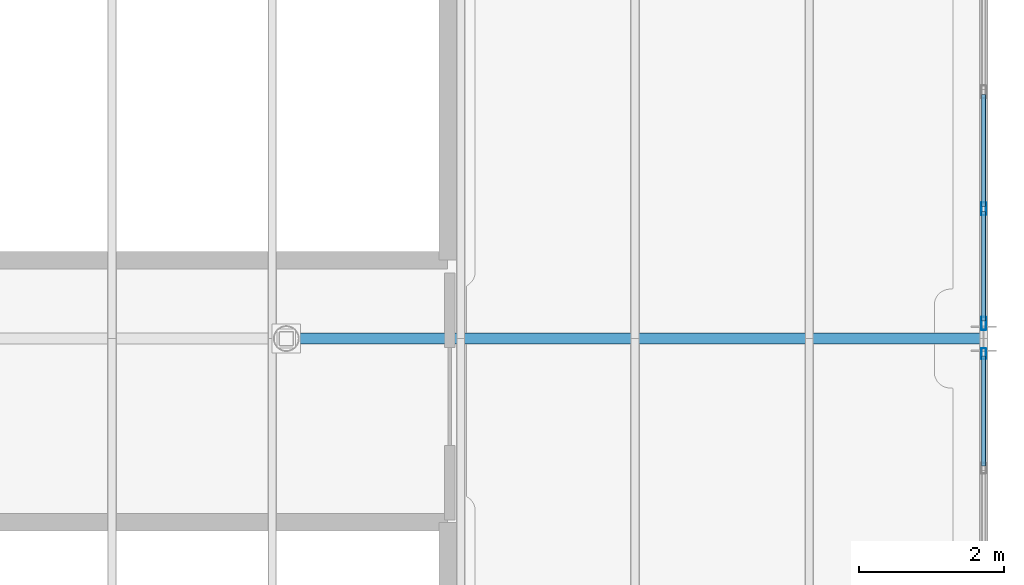
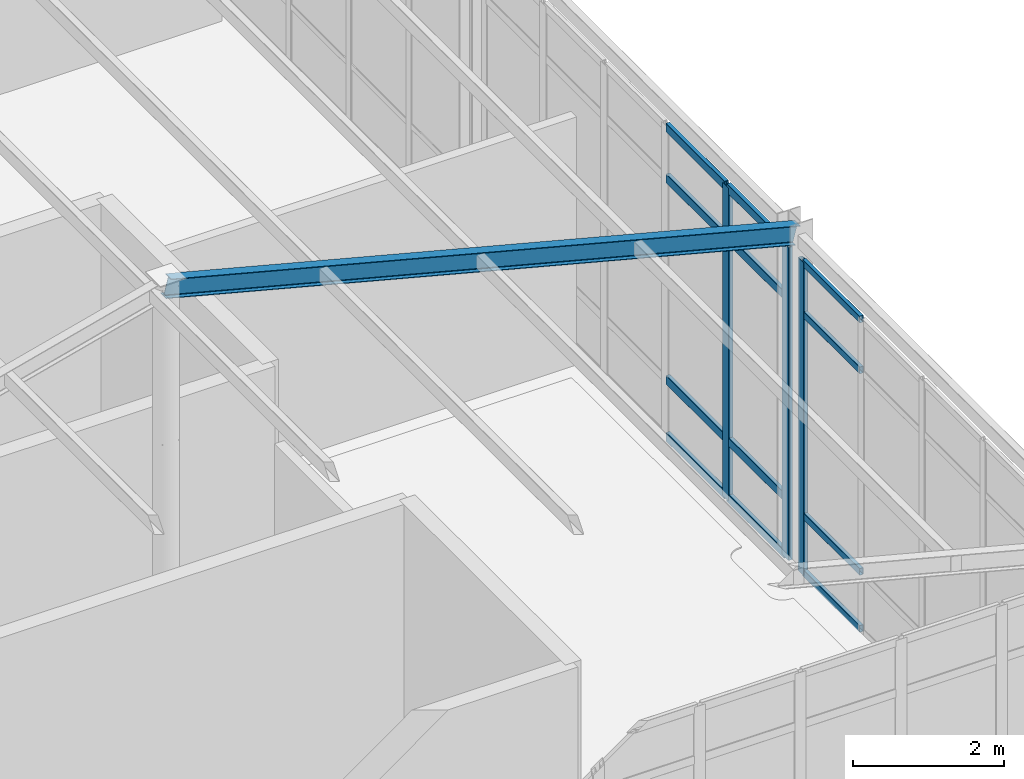
# One storey, part 15 of 121: 15 members, 1 beam, 2 elements without a shape of their own.
"""IFC4 building model written with IfcOpenShell, lengths in metres."""

from ifc_helpers import new_model, si_unit, direction, frame, origin, origin_2d, place, context, subcontext, project, spatial, hollow_rectangle, i_section, extrude, material, material_profile, profile_set, type_object, element, aggregate, save


model = new_model("IFC4")

# Units and contexts
model_context = context("Model", 3, precision=1e-05, world=origin(), true_north=direction((0.0, 1.0)))
body_context = subcontext(model_context, "Body", "Model", "MODEL_VIEW")
ifc_project = project(units=[si_unit("LENGTHUNIT", "METRE"), si_unit("AREAUNIT", "SQUARE_METRE"), si_unit("VOLUMEUNIT", "CUBIC_METRE"), si_unit("PLANEANGLEUNIT", "RADIAN"), si_unit("MASSUNIT", "GRAM", prefix="KILO")], contexts=[model_context])

# Site, building, storey
site_placement = place(None, origin())
site = spatial("IfcSite", under=ifc_project, at=site_placement, CompositionType="ELEMENT")
building_placement = place(site_placement, origin())
building = spatial("IfcBuilding", under=site, at=building_placement, Name="Canglan Escarpment Cableway Terminal", CompositionType="ELEMENT")
storey_placement = place(building_placement, frame((0.0, 0.0, 24.60009765625)))
storey = spatial("IfcBuildingStorey", under=building, at=storey_placement, Name="L05", CompositionType="ELEMENT", Elevation=24.60009765625)

# Beam
ifc_material_1 = material(Name="Steel Q355B", Category="steel")
ifc_material_profile_1 = material_profile(ifc_material_1, i_section(OverallWidth=0.14990234375, OverallDepth=0.300048828125, WebThickness=0.006591796875, FlangeThickness=0.009033203125, FilletRadius=0.012939453125, at=origin_2d()), Name="HN 300x150x6.5x9")
ifc_profile_set_1 = profile_set([ifc_material_profile_1], Name="Steel Q355B")
beam_type = type_object("IfcBeamType", Name="BM-GABLE-RAFTER-HN300", PredefinedType="BEAM", material=ifc_profile_set_1)
beam_placement = place(storey_placement, frame((156.800048828125, 16.39990234375, 7.849853515625), z_axis=(0.9677232967, 0.0, -0.252015120628), x_axis=(0.0, 1.0, 0.0)))
element("IfcBeam", 1, at=beam_placement, inside=storey, type_object=beam_type, Name="Pedimented pavilion rafter RF-B2", PredefinedType="BEAM", context=body_context, shape_type="SweptSolid", body=[
    extrude(i_section(OverallWidth=0.14990234375, OverallDepth=0.300048828125, WebThickness=0.006591796875, FlangeThickness=0.009033203125, FilletRadius=0.012939453125, at=origin_2d()), origin(), (0.0, 0.0, 1.0), 9.919921875),
])

# Curtain wall, member
ifc_material_2 = material(Name="Anodized bronze aluminium and Low-E double glazing", Category="aluminium")
curtain_wall_type = type_object("IfcCurtainWallType", Name="CW-BAY-8050x5050", PredefinedType="NOTDEFINED", material=ifc_material_2)
curtain_wall_1_placement = place(storey_placement, origin())
curtain_wall_1 = element("IfcCurtainWall", 2, at=curtain_wall_1_placement, inside=storey, type_object=curtain_wall_type, Name="Classical bay-between-piers glazed curtain wall CW-38", PredefinedType="NOTDEFINED")
ifc_material_3 = material(Name="Thermally broken anodized aluminium 6063-T6", Category="aluminium")
ifc_material_profile_2 = material_profile(ifc_material_3, hollow_rectangle(XDim=0.06494140625, YDim=0.14990234375, WallThickness=0.00341796875, InnerFilletRadius=0.00341796875, OuterFilletRadius=0.007080078125, at=origin_2d()), Name="ALU-MULL 65x150x3.5")
ifc_profile_set_2 = profile_set([ifc_material_profile_2], Name="Thermally broken anodized aluminium 6063-T6")
member_type_1 = type_object("IfcMemberType", Name="CWM-02", PredefinedType="MULLION", material=ifc_profile_set_2)
member_1_placement = place(storey_placement, frame((166.39990234375, 16.1923828125, 0.0), z_axis=(0.0, 0.0, 1.0), x_axis=(-1.0, 0.0, 0.0)))
member_1 = element("IfcMember", 3, at=member_1_placement, type_object=member_type_1, Name="CW-38 mullion 6", PredefinedType="MULLION", context=body_context, shape_type="SweptSolid", body=[
    extrude(hollow_rectangle(XDim=0.06494140625, YDim=0.14990234375, WallThickness=0.00341796875, InnerFilletRadius=0.00341796875, OuterFilletRadius=0.007080078125, at=origin_2d()), origin(), (0.0, 0.0, 1.0), 5.0498046875),
])

# Curtain wall, members
curtain_wall_2_placement = place(storey_placement, origin())
curtain_wall_2 = element("IfcCurtainWall", 4, at=curtain_wall_2_placement, inside=storey, type_object=curtain_wall_type, Name="Classical bay-between-piers glazed curtain wall CW-38", PredefinedType="NOTDEFINED")
ifc_material_profile_3 = material_profile(ifc_material_3, hollow_rectangle(XDim=0.06494140625, YDim=0.179931640625, WallThickness=0.00390625, InnerFilletRadius=0.00390625, OuterFilletRadius=0.008056640625, at=origin_2d()), Name="ALU-MULL 65x180x4")
ifc_profile_set_3 = profile_set([ifc_material_profile_3], Name="Thermally broken anodized aluminium 6063-T6")
member_type_2 = type_object("IfcMemberType", Name="CWM-03", PredefinedType="MULLION", material=ifc_profile_set_3)
member_2_placement = place(storey_placement, frame((166.39990234375, 16.607421875, 0.0), z_axis=(0.0, 0.0, 1.0), x_axis=(-1.0, 0.0, 0.0)))
member_2 = element("IfcMember", 5, at=member_2_placement, type_object=member_type_2, Name="CW-38 mullion 1", PredefinedType="MULLION", context=body_context, shape_type="SweptSolid", body=[
    extrude(hollow_rectangle(XDim=0.06494140625, YDim=0.179931640625, WallThickness=0.00390625, InnerFilletRadius=0.00390625, OuterFilletRadius=0.008056640625, at=origin_2d()), origin(), (0.0, 0.0, 1.0), 5.0498046875),
])
member_3_placement = place(storey_placement, frame((166.39990234375, 18.18505859375, 0.0), z_axis=(0.0, 0.0, 1.0), x_axis=(-1.0, 0.0, 0.0)))
member_3 = element("IfcMember", 6, at=member_3_placement, type_object=member_type_2, Name="CW-38 mullion 2", PredefinedType="MULLION", context=body_context, shape_type="SweptSolid", body=[
    extrude(hollow_rectangle(XDim=0.06494140625, YDim=0.179931640625, WallThickness=0.00390625, InnerFilletRadius=0.00390625, OuterFilletRadius=0.008056640625, at=origin_2d()), origin(), (0.0, 0.0, 1.0), 5.0498046875),
])

# Member
ifc_material_profile_4 = material_profile(ifc_material_3, hollow_rectangle(XDim=0.06005859375, YDim=0.110107421875, WallThickness=0.0029296875, InnerFilletRadius=0.0029296875, OuterFilletRadius=0.006103515625, at=origin_2d()), Name="ALU-TRAN 60x110x3")
ifc_profile_set_4 = profile_set([ifc_material_profile_4], Name="Thermally broken anodized aluminium 6063-T6")
member_type_3 = type_object("IfcMemberType", Name="CWT-02", PredefinedType="USERDEFINED", material=ifc_profile_set_4)
member_4_placement = place(storey_placement, frame((166.39990234375, 14.6474609375, 0.02978515625), z_axis=(0.0, 1.0, 0.0), x_axis=(-1.0, 0.0, 0.0)))
member_4 = element("IfcMember", 7, at=member_4_placement, type_object=member_type_3, Name="CW-38 transom 5.1", ObjectType="TRANSOM", PredefinedType="USERDEFINED", context=body_context, shape_type="SweptSolid", body=[
    extrude(hollow_rectangle(XDim=0.06005859375, YDim=0.110107421875, WallThickness=0.0029296875, InnerFilletRadius=0.0029296875, OuterFilletRadius=0.006103515625, at=origin_2d()), origin(), (0.0, 0.0, 1.0), 1.512451171875),
])

member_5_placement = place(storey_placement, frame((166.39990234375, 14.6474609375, 0.949951171875), z_axis=(0.0, 1.0, 0.0), x_axis=(-1.0, 0.0, 0.0)))
member_5 = element("IfcMember", 8, at=member_5_placement, type_object=member_type_3, Name="CW-38 transom 5.2", ObjectType="TRANSOM", PredefinedType="USERDEFINED", context=body_context, shape_type="SweptSolid", body=[
    extrude(hollow_rectangle(XDim=0.06005859375, YDim=0.110107421875, WallThickness=0.0029296875, InnerFilletRadius=0.0029296875, OuterFilletRadius=0.006103515625, at=origin_2d()), origin(), (0.0, 0.0, 1.0), 1.512451171875),
])

member_6_placement = place(storey_placement, frame((166.39990234375, 14.6474609375, 4.199951171875), z_axis=(0.0, 1.0, 0.0), x_axis=(-1.0, 0.0, 0.0)))
member_6 = element("IfcMember", 9, at=member_6_placement, type_object=member_type_3, Name="CW-38 transom 5.3", ObjectType="TRANSOM", PredefinedType="USERDEFINED", context=body_context, shape_type="SweptSolid", body=[
    extrude(hollow_rectangle(XDim=0.06005859375, YDim=0.110107421875, WallThickness=0.0029296875, InnerFilletRadius=0.0029296875, OuterFilletRadius=0.006103515625, at=origin_2d()), origin(), (0.0, 0.0, 1.0), 1.512451171875),
])

member_7_placement = place(storey_placement, frame((166.39990234375, 14.6474609375, 5.02001953125), z_axis=(0.0, 1.0, 0.0), x_axis=(-1.0, 0.0, 0.0)))
member_7 = element("IfcMember", 10, at=member_7_placement, type_object=member_type_3, Name="CW-38 transom 5.4", ObjectType="TRANSOM", PredefinedType="USERDEFINED", context=body_context, shape_type="SweptSolid", body=[
    extrude(hollow_rectangle(XDim=0.06005859375, YDim=0.110107421875, WallThickness=0.0029296875, InnerFilletRadius=0.0029296875, OuterFilletRadius=0.006103515625, at=origin_2d()), origin(), (0.0, 0.0, 1.0), 1.512451171875),
])

aggregate(curtain_wall_1, [member_1, member_4, member_5, member_6, member_7])

ifc_material_profile_5 = material_profile(ifc_material_3, hollow_rectangle(XDim=0.06494140625, YDim=0.139892578125, WallThickness=0.00341796875, InnerFilletRadius=0.00341796875, OuterFilletRadius=0.007080078125, at=origin_2d()), Name="ALU-TRAN 65x140x3.5")
ifc_profile_set_5 = profile_set([ifc_material_profile_5], Name="Thermally broken anodized aluminium 6063-T6")
member_type_4 = type_object("IfcMemberType", Name="CWT-03", PredefinedType="USERDEFINED", material=ifc_profile_set_5)
member_8_placement = place(storey_placement, frame((166.39990234375, 16.639892578125, 0.032470703125), z_axis=(0.0, 1.0, 0.0), x_axis=(-1.0, 0.0, 0.0)))
member_8 = element("IfcMember", 11, at=member_8_placement, type_object=member_type_4, Name="CW-38 transom 1.1", ObjectType="TRANSOM", PredefinedType="USERDEFINED", context=body_context, shape_type="SweptSolid", body=[
    extrude(hollow_rectangle(XDim=0.06494140625, YDim=0.139892578125, WallThickness=0.00341796875, InnerFilletRadius=0.00341796875, OuterFilletRadius=0.007080078125, at=origin_2d()), origin(), (0.0, 0.0, 1.0), 1.5126953125),
])

member_9_placement = place(storey_placement, frame((166.39990234375, 16.639892578125, 0.949951171875), z_axis=(0.0, 1.0, 0.0), x_axis=(-1.0, 0.0, 0.0)))
member_9 = element("IfcMember", 12, at=member_9_placement, type_object=member_type_4, Name="CW-38 transom 1.2", ObjectType="TRANSOM", PredefinedType="USERDEFINED", context=body_context, shape_type="SweptSolid", body=[
    extrude(hollow_rectangle(XDim=0.06494140625, YDim=0.139892578125, WallThickness=0.00341796875, InnerFilletRadius=0.00341796875, OuterFilletRadius=0.007080078125, at=origin_2d()), origin(), (0.0, 0.0, 1.0), 1.5126953125),
])

member_10_placement = place(storey_placement, frame((166.39990234375, 16.639892578125, 4.199951171875), z_axis=(0.0, 1.0, 0.0), x_axis=(-1.0, 0.0, 0.0)))
member_10 = element("IfcMember", 13, at=member_10_placement, type_object=member_type_4, Name="CW-38 transom 1.3", ObjectType="TRANSOM", PredefinedType="USERDEFINED", context=body_context, shape_type="SweptSolid", body=[
    extrude(hollow_rectangle(XDim=0.06494140625, YDim=0.139892578125, WallThickness=0.00341796875, InnerFilletRadius=0.00341796875, OuterFilletRadius=0.007080078125, at=origin_2d()), origin(), (0.0, 0.0, 1.0), 1.5126953125),
])

member_11_placement = place(storey_placement, frame((166.39990234375, 16.639892578125, 5.017333984375), z_axis=(0.0, 1.0, 0.0), x_axis=(-1.0, 0.0, 0.0)))
member_11 = element("IfcMember", 14, at=member_11_placement, type_object=member_type_4, Name="CW-38 transom 1.4", ObjectType="TRANSOM", PredefinedType="USERDEFINED", context=body_context, shape_type="SweptSolid", body=[
    extrude(hollow_rectangle(XDim=0.06494140625, YDim=0.139892578125, WallThickness=0.00341796875, InnerFilletRadius=0.00341796875, OuterFilletRadius=0.007080078125, at=origin_2d()), origin(), (0.0, 0.0, 1.0), 1.5126953125),
])

member_12_placement = place(storey_placement, frame((166.39990234375, 18.217529296875, 0.032470703125), z_axis=(0.0, 1.0, 0.0), x_axis=(-1.0, 0.0, 0.0)))
member_12 = element("IfcMember", 15, at=member_12_placement, type_object=member_type_4, Name="CW-38 transom 2.1", ObjectType="TRANSOM", PredefinedType="USERDEFINED", context=body_context, shape_type="SweptSolid", body=[
    extrude(hollow_rectangle(XDim=0.06494140625, YDim=0.139892578125, WallThickness=0.00341796875, InnerFilletRadius=0.00341796875, OuterFilletRadius=0.007080078125, at=origin_2d()), origin(), (0.0, 0.0, 1.0), 1.544921875),
])

member_13_placement = place(storey_placement, frame((166.39990234375, 18.217529296875, 0.949951171875), z_axis=(0.0, 1.0, 0.0), x_axis=(-1.0, 0.0, 0.0)))
member_13 = element("IfcMember", 16, at=member_13_placement, type_object=member_type_4, Name="CW-38 transom 2.2", ObjectType="TRANSOM", PredefinedType="USERDEFINED", context=body_context, shape_type="SweptSolid", body=[
    extrude(hollow_rectangle(XDim=0.06494140625, YDim=0.139892578125, WallThickness=0.00341796875, InnerFilletRadius=0.00341796875, OuterFilletRadius=0.007080078125, at=origin_2d()), origin(), (0.0, 0.0, 1.0), 1.544921875),
])

member_14_placement = place(storey_placement, frame((166.39990234375, 18.217529296875, 4.199951171875), z_axis=(0.0, 1.0, 0.0), x_axis=(-1.0, 0.0, 0.0)))
member_14 = element("IfcMember", 17, at=member_14_placement, type_object=member_type_4, Name="CW-38 transom 2.3", ObjectType="TRANSOM", PredefinedType="USERDEFINED", context=body_context, shape_type="SweptSolid", body=[
    extrude(hollow_rectangle(XDim=0.06494140625, YDim=0.139892578125, WallThickness=0.00341796875, InnerFilletRadius=0.00341796875, OuterFilletRadius=0.007080078125, at=origin_2d()), origin(), (0.0, 0.0, 1.0), 1.544921875),
])

member_15_placement = place(storey_placement, frame((166.39990234375, 18.217529296875, 5.017333984375), z_axis=(0.0, 1.0, 0.0), x_axis=(-1.0, 0.0, 0.0)))
member_15 = element("IfcMember", 18, at=member_15_placement, type_object=member_type_4, Name="CW-38 transom 2.4", ObjectType="TRANSOM", PredefinedType="USERDEFINED", context=body_context, shape_type="SweptSolid", body=[
    extrude(hollow_rectangle(XDim=0.06494140625, YDim=0.139892578125, WallThickness=0.00341796875, InnerFilletRadius=0.00341796875, OuterFilletRadius=0.007080078125, at=origin_2d()), origin(), (0.0, 0.0, 1.0), 1.544921875),
])

aggregate(curtain_wall_2, [member_2, member_3, member_8, member_9, member_10, member_11, member_12, member_13, member_14, member_15])

save(model, "model.ifc")
